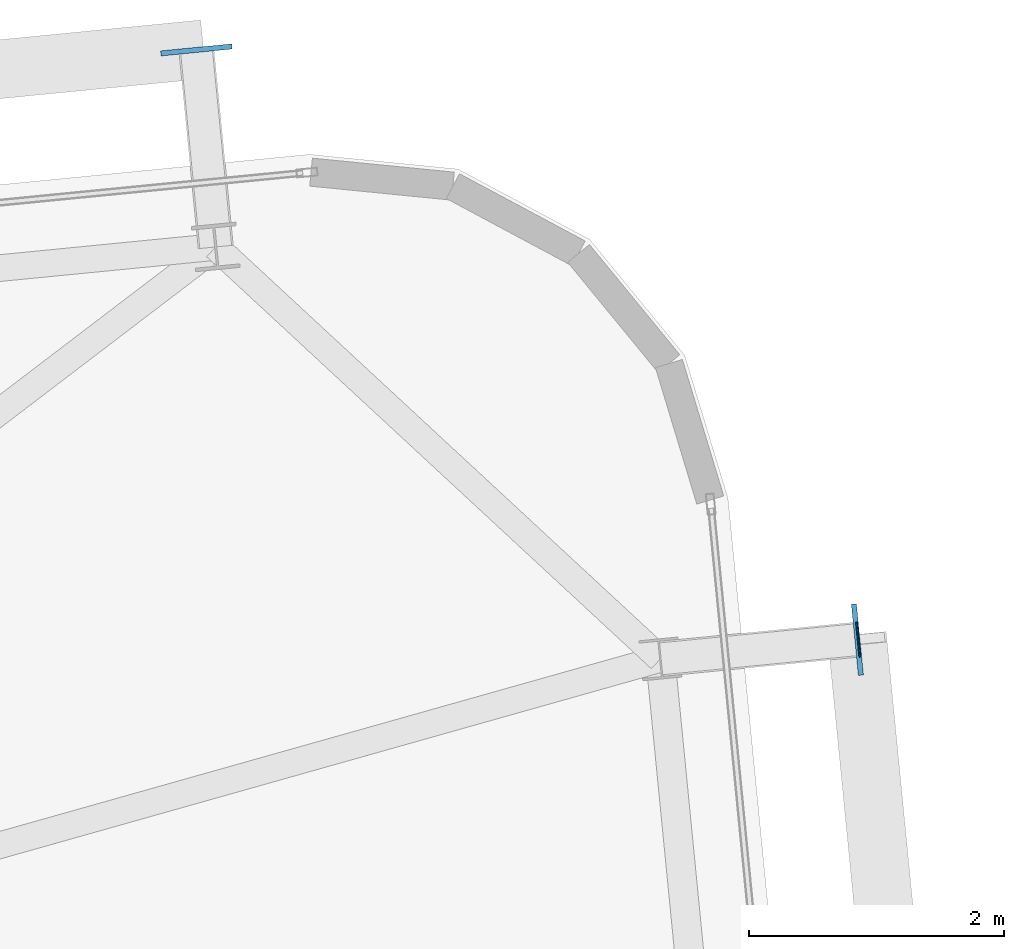
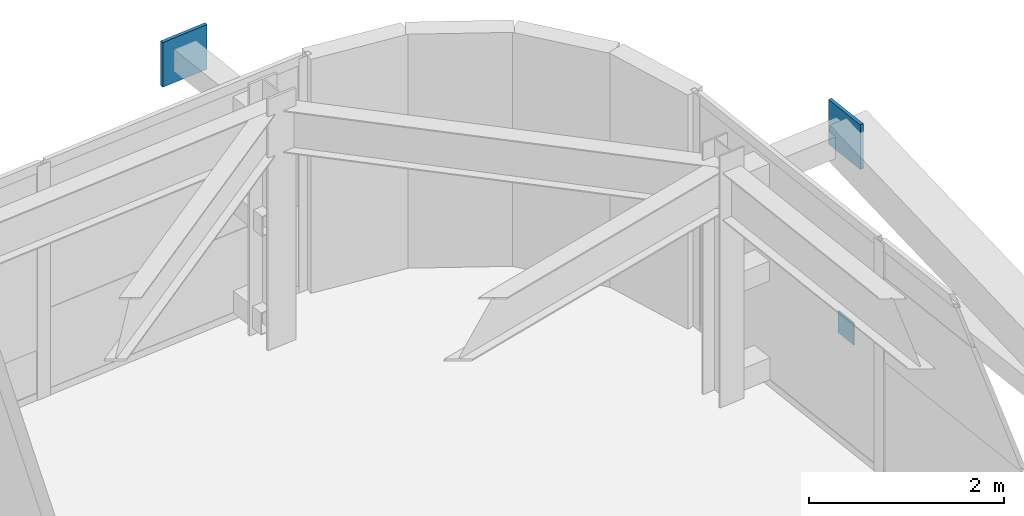
# One storey, part 43 of 51: 3 plates.
"""IFC4 building model written with IfcOpenShell, lengths in metres."""

from ifc_helpers import new_model, si_unit, direction, frame, origin, origin_2d, place, context, subcontext, project, spatial, rectangle, extrude, source, transform, mapped, material, layer, layer_set, type_object, element, save


model = new_model("IFC4")

# Units and contexts
model_context = context("Model", 3, precision=1e-05, world=origin(), true_north=direction((0.0, 1.0)))
body_context = subcontext(model_context, "Body", "Model", "MODEL_VIEW")
ifc_project = project(units=[si_unit("LENGTHUNIT", "METRE"), si_unit("AREAUNIT", "SQUARE_METRE"), si_unit("VOLUMEUNIT", "CUBIC_METRE"), si_unit("PLANEANGLEUNIT", "RADIAN"), si_unit("MASSUNIT", "GRAM", prefix="KILO")], contexts=[model_context])

# Site, building, storey
site_placement = place(None, origin())
site = spatial("IfcSite", under=ifc_project, at=site_placement, CompositionType="ELEMENT")
building_placement = place(site_placement, origin())
building = spatial("IfcBuilding", under=site, at=building_placement, Name="Taldren Reach Tower", CompositionType="ELEMENT")
storey_placement = place(building_placement, frame((0.0, 0.0, 65.10009765625)))
storey = spatial("IfcBuildingStorey", under=building, at=storey_placement, Name="L19", CompositionType="ELEMENT", Elevation=65.10009765625)

# Plates
ifc_material = material(Name="Steel Gr 450 (C450L0)", Category="steel")
ifc_layer_1 = layer(ifc_material, 0.0400390625)
ifc_layer_set_1 = layer_set([ifc_layer_1], Name="Steel Gr 450 (C450L0)")
plate_type_1 = type_object("IfcPlateType", Name="PL-GUSSET-40", PredefinedType="SHEET", material=ifc_layer_set_1)
shared_shape_1 = source(origin(), body_context, "Body", "SweptSolid", [
    extrude(rectangle(XDim=0.56005859375, YDim=0.0400390625, at=origin_2d()), origin(), (0.0, 0.0, 1.0), 0.56005859375),
])
for number, where, z_axis, x_axis, name in (
    (1, (59.614501953125, 40.222412109375, 2.369873046875), (0.0, 0.0, 1.0), (0.995227399982, 0.097582899759, 0.0), "Exoskeleton star-node gusset plate B2-N6 L19"),
    (2, (64.789794921875, 35.60546875, 2.369873046875), (0.0, 0.0, 1.0), (-0.097582899759, 0.995227399982, 0.0), "Exoskeleton star-node gusset plate B2-E3 L19"),
):
    element("IfcPlate", number, at=place(storey_placement, frame(where, z_axis=z_axis, x_axis=x_axis)), inside=storey, type_object=plate_type_1, Name=name, PredefinedType="SHEET", context=body_context, shape_type="MappedRepresentation", body=[
        mapped(shared_shape_1, transform((0.0, 0.0, 0.0), scale=1.0)),
    ])
ifc_layer_2 = layer(ifc_material, 0.011962890625)
ifc_layer_set_2 = layer_set([ifc_layer_2], Name="Steel Gr 450 (C450L0)")
plate_type_2 = type_object("IfcPlateType", Name="PL-CAP-275", PredefinedType="SHEET", material=ifc_layer_set_2)
shared_shape_2 = source(origin(), body_context, "Body", "SweptSolid", [
    extrude(rectangle(XDim=0.011962890625, YDim=0.27490234375, at=origin_2d()), origin(), (0.0, 0.0, 1.0), 0.27490234375),
])
plate_placement = place(storey_placement, frame((64.7958984375, 35.60595703125, 0.08251953125), z_axis=(0.0, 0.0, 1.0), x_axis=(0.995227399982, 0.097582899759, 0.0)))
element("IfcPlate", 3, at=plate_placement, inside=storey, type_object=plate_type_2, Name="Tie strut end cap plate B2-E3 L19", PredefinedType="SHEET", context=body_context, shape_type="MappedRepresentation", body=[
    mapped(shared_shape_2, transform((0.0, 0.0, 0.0), scale=1.0)),
])

save(model, "model.ifc")
